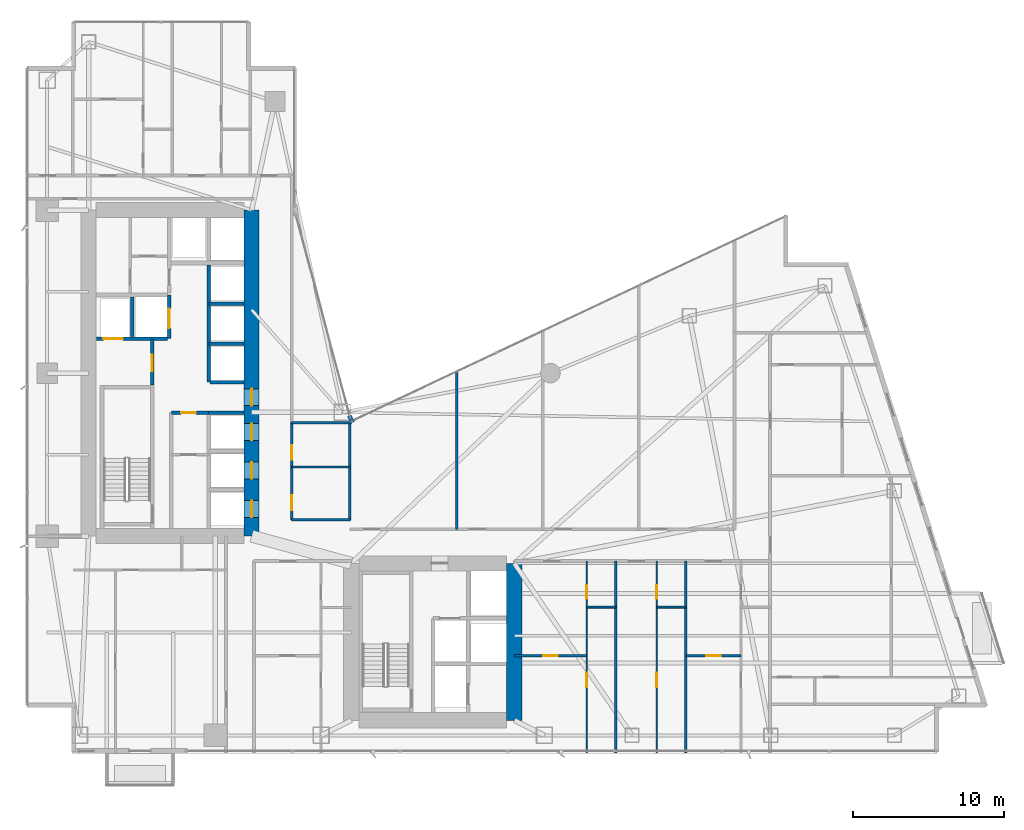
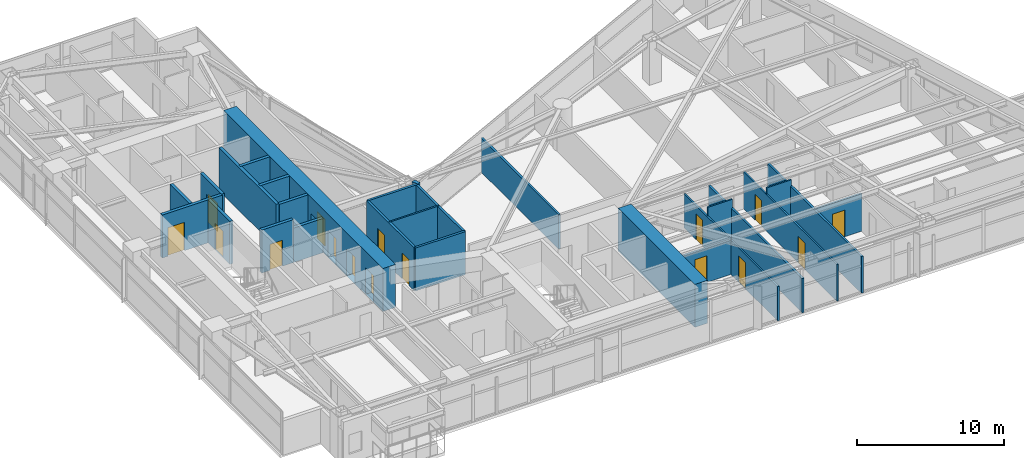
# One storey, part 23 of 30: 27 walls, 16 doors, 16 openings.
"""IFC4 building model written with IfcOpenShell, lengths in metres."""

from ifc_helpers import new_model, si_unit, direction, frame, frame_2d, origin, place, context, subcontext, project, spatial, rectangle, extrude, material, layer, layer_set, type_object, element, fill, save


model = new_model("IFC4")

# Units and contexts
model_context = context("Model", 3, precision=1e-05, world=origin(), true_north=direction((0.0, 1.0)))
body_context = subcontext(model_context, "Body", "Model", "MODEL_VIEW")
ifc_project = project(units=[si_unit("LENGTHUNIT", "METRE"), si_unit("AREAUNIT", "SQUARE_METRE"), si_unit("VOLUMEUNIT", "CUBIC_METRE"), si_unit("PLANEANGLEUNIT", "RADIAN"), si_unit("MASSUNIT", "GRAM", prefix="KILO")], contexts=[model_context])

# Site, building, storey
site_placement = place(None, origin())
site = spatial("IfcSite", under=ifc_project, at=site_placement, CompositionType="ELEMENT")
building_placement = place(site_placement, origin())
building = spatial("IfcBuilding", under=site, at=building_placement, Name="Calvorn Quay Hotel", CompositionType="ELEMENT")
storey_placement = place(building_placement, frame((0.0, 0.0, 50.800048828125)))
storey = spatial("IfcBuildingStorey", under=building, at=storey_placement, Name="L11", CompositionType="ELEMENT", Elevation=50.800048828125)

# Wall, openings, doors
ifc_material_1 = material(Name="Concrete C60", Category="concrete")
ifc_layer_1 = layer(ifc_material_1, 1.0)
ifc_layer_set_1 = layer_set([ifc_layer_1], Name="WL-CORE-1000")
wall_type_1 = type_object("IfcWallType", Name="WL-CORE-1000", PredefinedType="SHEAR", material=ifc_layer_set_1)
wall_1_placement = place(storey_placement, frame((15.0, 16.800048828125, 0.0), z_axis=(0.0, 0.0, 1.0), x_axis=(0.0, 1.0, 0.0)))
wall_1 = element("IfcWall", 1, at=wall_1_placement, inside=storey, type_object=wall_type_1, Name="West Core Shear Wall E (L11)", PredefinedType="SHEAR", context=body_context, shape_type="SweptSolid", body=[
    extrude(rectangle(XDim=21.599853515625, YDim=1.0, at=frame_2d((10.7998046875, 0.0))), origin(), (0.0, 0.0, 1.0), 3.56005859375),
])
opening_1_placement = place(wall_1_placement, frame((8.64990234375, 0.0, 0.0)))
opening_1 = element("IfcOpeningElement", 2, at=opening_1_placement, cuts=wall_1, Name="Opening D-L11-CW1", PredefinedType="OPENING", context=body_context, shape_type="SweptSolid", body=[
    extrude(rectangle(XDim=1.10009765625, YDim=2.199951171875, at=frame_2d((0.550048828125, 1.10009765625))), frame((0.0, 0.510009765625, 0.0), z_axis=(0.0, -1.0, 0.0), x_axis=(1.0, 0.0, 0.0)), (0.0, 0.0, 1.0), 1.02001953125),
])
opening_2_placement = place(wall_1_placement, frame((1.25, 0.0, 0.0)))
opening_2 = element("IfcOpeningElement", 3, at=opening_2_placement, cuts=wall_1, Name="Opening LD-L11-L1", PredefinedType="OPENING", context=body_context, shape_type="SweptSolid", body=[
    extrude(rectangle(XDim=1.10009765625, YDim=2.199951171875, at=frame_2d((0.550048828125, 1.10009765625))), frame((0.0, 0.510009765625, 0.0), z_axis=(0.0, -1.0, 0.0), x_axis=(1.0, 0.0, 0.0)), (0.0, 0.0, 1.0), 1.02001953125),
])
opening_3_placement = place(wall_1_placement, frame((3.800048828125, 0.0, 0.0)))
opening_3 = element("IfcOpeningElement", 4, at=opening_3_placement, cuts=wall_1, Name="Opening LD-L11-L2", PredefinedType="OPENING", context=body_context, shape_type="SweptSolid", body=[
    extrude(rectangle(XDim=1.10009765625, YDim=2.199951171875, at=frame_2d((0.550048828125, 1.10009765625))), frame((0.0, 0.510009765625, 0.0), z_axis=(0.0, -1.0, 0.0), x_axis=(1.0, 0.0, 0.0)), (0.0, 0.0, 1.0), 1.02001953125),
])
opening_4_placement = place(wall_1_placement, frame((6.35009765625, 0.0, 0.0)))
opening_4 = element("IfcOpeningElement", 5, at=opening_4_placement, cuts=wall_1, Name="Opening LD-L11-L3", PredefinedType="OPENING", context=body_context, shape_type="SweptSolid", body=[
    extrude(rectangle(XDim=1.10009765625, YDim=2.199951171875, at=frame_2d((0.550048828125, 1.10009765625))), frame((0.0, 0.510009765625, 0.0), z_axis=(0.0, -1.0, 0.0), x_axis=(1.0, 0.0, 0.0)), (0.0, 0.0, 1.0), 1.02001953125),
])
ifc_material_2 = material(Name="Smoke-Sealed Steel Class A Fire Door", Category="steel")
door_type_1 = type_object("IfcDoorType", Name="DR-FFLOBBY-1100", OperationType="NOTDEFINED", PredefinedType="DOOR", material=ifc_material_2)
door_1_placement = place(opening_1_placement, origin())
door_1 = element("IfcDoor", 6, at=door_1_placement, inside=storey, type_object=door_type_1, Name="West Core Vestibule Fire Door (L11)", OperationType="SINGLE_SWING_RIGHT", OverallHeight=2.199951171875, OverallWidth=1.10009765625, PredefinedType="DOOR", context=body_context, shape_type="SweptSolid", body=[
    extrude(rectangle(XDim=1.10009765625, YDim=2.199951171875, at=frame_2d((0.550048828125, 1.10009765625))), frame((0.0, 0.02490234375, 0.0), z_axis=(0.0, -1.0, 0.0), x_axis=(1.0, 0.0, 0.0)), (0.0, 0.0, 1.0), 0.050048828125),
])
fill(opening_1, door_1)
ifc_material_3 = material(Name="Brushed Stainless Steel Sliding Lift Landing Door", Category="steel")
door_type_2 = type_object("IfcDoorType", Name="DR-LIFT-PASS-1100", OperationType="NOTDEFINED", PredefinedType="DOOR", material=ifc_material_3)
door_2_placement = place(opening_2_placement, origin())
door_2 = element("IfcDoor", 7, at=door_2_placement, inside=storey, type_object=door_type_2, Name="Low-Rise Lift PL-L1 Landing Door (L11)", OperationType="DOUBLE_DOOR_SLIDING", OverallHeight=2.199951171875, OverallWidth=1.10009765625, PredefinedType="DOOR", context=body_context, shape_type="SweptSolid", body=[
    extrude(rectangle(XDim=1.10009765625, YDim=2.199951171875, at=frame_2d((0.550048828125, 1.10009765625))), frame((0.0, 0.02490234375, 0.0), z_axis=(0.0, -1.0, 0.0), x_axis=(1.0, 0.0, 0.0)), (0.0, 0.0, 1.0), 0.050048828125),
])
fill(opening_2, door_2)
door_3_placement = place(opening_3_placement, origin())
door_3 = element("IfcDoor", 8, at=door_3_placement, inside=storey, type_object=door_type_2, Name="Low-Rise Lift PL-L2 Landing Door (L11)", OperationType="DOUBLE_DOOR_SLIDING", OverallHeight=2.199951171875, OverallWidth=1.10009765625, PredefinedType="DOOR", context=body_context, shape_type="SweptSolid", body=[
    extrude(rectangle(XDim=1.10009765625, YDim=2.199951171875, at=frame_2d((0.550048828125, 1.10009765625))), frame((0.0, 0.02490234375, 0.0), z_axis=(0.0, -1.0, 0.0), x_axis=(1.0, 0.0, 0.0)), (0.0, 0.0, 1.0), 0.050048828125),
])
fill(opening_3, door_3)
door_4_placement = place(opening_4_placement, origin())
door_4 = element("IfcDoor", 9, at=door_4_placement, inside=storey, type_object=door_type_2, Name="Low-Rise Lift PL-L3 Landing Door (L11)", OperationType="DOUBLE_DOOR_SLIDING", OverallHeight=2.199951171875, OverallWidth=1.10009765625, PredefinedType="DOOR", context=body_context, shape_type="SweptSolid", body=[
    extrude(rectangle(XDim=1.10009765625, YDim=2.199951171875, at=frame_2d((0.550048828125, 1.10009765625))), frame((0.0, 0.02490234375, 0.0), z_axis=(0.0, -1.0, 0.0), x_axis=(1.0, 0.0, 0.0)), (0.0, 0.0, 1.0), 0.050048828125),
])
fill(opening_4, door_4)

# Walls
wall_2_placement = place(storey_placement, frame((32.39990234375, 4.60009765625, 0.0), z_axis=(0.0, 0.0, 1.0), x_axis=(0.0, 1.0, 0.0)))
element("IfcWall", 10, at=wall_2_placement, inside=storey, type_object=wall_type_1, Name="East Core Shear Wall E (L11)", PredefinedType="SHEAR", context=body_context, shape_type="SweptSolid", body=[
    extrude(rectangle(XDim=10.39990234375, YDim=1.0, at=frame_2d((5.199951171875, 0.0))), origin(), (0.0, 0.0, 1.0), 3.56005859375),
])
ifc_material_4 = material(Name="Acoustic Fireboard Steel-Stud Partition", Category="steel")
ifc_layer_2 = layer(ifc_material_4, 0.179931640625)
ifc_layer_set_2 = layer_set([ifc_layer_2], Name="WL-CORR-FIRE-180")
wall_type_2 = type_object("IfcWallType", Name="WL-CORR-FIRE-180", PredefinedType="PARTITIONING", material=ifc_layer_set_2)
wall_3_placement = place(storey_placement, frame((17.64990234375, 17.8798828125, 0.0), z_axis=(0.0, 0.0, 1.0), x_axis=(1.0, 0.0, 0.0)))
element("IfcWall", 11, at=wall_3_placement, inside=storey, type_object=wall_type_2, Name="Partition Wall L11-WL-HK-S", PredefinedType="PARTITIONING", context=body_context, shape_type="SweptSolid", body=[
    extrude(rectangle(XDim=3.900146484375, YDim=0.179931640625, at=frame_2d((1.9501953125, 0.0))), origin(), (0.0, 0.0, 1.0), 3.56005859375),
])
wall_4_placement = place(storey_placement, frame((17.64990234375, 24.320068359375, 0.0), z_axis=(0.0, 0.0, 1.0), x_axis=(1.0, 0.0, 0.0)))
element("IfcWall", 12, at=wall_4_placement, inside=storey, type_object=wall_type_2, Name="Partition Wall L11-WL-HK-N", PredefinedType="PARTITIONING", context=body_context, shape_type="SweptSolid", body=[
    extrude(rectangle(XDim=3.9501953125, YDim=0.179931640625, at=frame_2d((1.97509765625, 0.0))), origin(), (0.0, 0.0, 1.0), 3.56005859375),
])
wall_5_placement = place(storey_placement, frame((21.5, 17.8798828125, 0.0), z_axis=(0.0, 0.0, 1.0), x_axis=(0.0, 1.0, 0.0)))
element("IfcWall", 13, at=wall_5_placement, inside=storey, type_object=wall_type_2, Name="Partition Wall L11-WL-HK-E", PredefinedType="PARTITIONING", context=body_context, shape_type="SweptSolid", body=[
    extrude(rectangle(XDim=6.440185546875, YDim=0.179931640625, at=frame_2d((3.22021484375, 0.0))), origin(), (0.0, 0.0, 1.0), 3.56005859375),
])

# Wall, openings, doors
wall_6_placement = place(storey_placement, frame((17.64990234375, 17.8798828125, 0.0), z_axis=(0.0, 0.0, 1.0), x_axis=(0.0, 1.0, 0.0)))
wall_6 = element("IfcWall", 14, at=wall_6_placement, inside=storey, type_object=wall_type_2, Name="Partition Wall L11-WL-HK-W", PredefinedType="PARTITIONING", context=body_context, shape_type="SweptSolid", body=[
    extrude(rectangle(XDim=6.440185546875, YDim=0.179931640625, at=frame_2d((3.22021484375, 0.0))), origin(), (0.0, 0.0, 1.0), 3.56005859375),
])
opening_5_placement = place(wall_6_placement, frame((0.64990234375, 0.0, 0.0)))
opening_5 = element("IfcOpeningElement", 15, at=opening_5_placement, cuts=wall_6, Name="Opening D-L11-HK", PredefinedType="OPENING", context=body_context, shape_type="SweptSolid", body=[
    extrude(rectangle(XDim=0.97998046875, YDim=2.14990234375, at=frame_2d((0.489990234375, 1.074951171875))), frame((0.0, 0.099853515625, 0.0), z_axis=(0.0, -1.0, 0.0), x_axis=(1.0, 0.0, 0.0)), (0.0, 0.0, 1.0), 0.199951171875),
])
opening_6_placement = place(wall_6_placement, frame((3.969970703125, 0.0, 0.0)))
opening_6 = element("IfcOpeningElement", 16, at=opening_6_placement, cuts=wall_6, Name="Opening D-L11-NCP", PredefinedType="OPENING", context=body_context, shape_type="SweptSolid", body=[
    extrude(rectangle(XDim=0.9599609375, YDim=2.199951171875, at=frame_2d((0.47998046875, 1.10009765625))), frame((0.0, 0.099853515625, 0.0), z_axis=(0.0, -1.0, 0.0), x_axis=(1.0, 0.0, 0.0)), (0.0, 0.0, 1.0), 0.199951171875),
])
ifc_material_5 = material(Name="Painted Steel Housekeeping/Riser Fire Door", Category="steel")
door_type_3 = type_object("IfcDoorType", Name="DR-SERVICE-980", OperationType="NOTDEFINED", PredefinedType="DOOR", material=ifc_material_5)
door_5_placement = place(opening_5_placement, origin())
door_5 = element("IfcDoor", 17, at=door_5_placement, inside=storey, type_object=door_type_3, Name="Floor Housekeeping Door (L11)", OperationType="SINGLE_SWING_LEFT", OverallHeight=2.14990234375, OverallWidth=0.97998046875, PredefinedType="DOOR", context=body_context, shape_type="SweptSolid", body=[
    extrude(rectangle(XDim=0.97998046875, YDim=2.14990234375, at=frame_2d((0.489990234375, 1.074951171875))), frame((0.0, 0.02490234375, 0.0), z_axis=(0.0, -1.0, 0.0), x_axis=(1.0, 0.0, 0.0)), (0.0, 0.0, 1.0), 0.050048828125),
])
fill(opening_5, door_5)
ifc_material_6 = material(Name="Solid Timber Internal Suite Door", Category="wood")
door_type_4 = type_object("IfcDoorType", Name="DR-SUITE-INT-960", OperationType="NOTDEFINED", PredefinedType="DOOR", material=ifc_material_6)
door_6_placement = place(opening_6_placement, origin())
door_6 = element("IfcDoor", 18, at=door_6_placement, inside=storey, type_object=door_type_4, Name="Reading Alcove Door (L11)", OperationType="SINGLE_SWING_RIGHT", OverallHeight=2.199951171875, OverallWidth=0.9599609375, PredefinedType="DOOR", context=body_context, shape_type="SweptSolid", body=[
    extrude(rectangle(XDim=0.9599609375, YDim=2.199951171875, at=frame_2d((0.47998046875, 1.10009765625))), frame((0.0, 0.02490234375, 0.0), z_axis=(0.0, -1.0, 0.0), x_axis=(1.0, 0.0, 0.0)), (0.0, 0.0, 1.0), 0.050048828125),
])
fill(opening_6, door_6)

# Walls
ifc_material_7 = material(Name="Moisture-Resistant Tile-Backed Partition")
ifc_layer_3 = layer(ifc_material_7, 0.125)
ifc_layer_set_3 = layer_set([ifc_layer_3], Name="WL-ENSUITE-125")
wall_type_3 = type_object("IfcWallType", Name="WL-ENSUITE-125", PredefinedType="PARTITIONING", material=ifc_layer_set_3)
wall_7_placement = place(storey_placement, frame((17.64990234375, 21.3798828125, 0.0), z_axis=(0.0, 0.0, 1.0), x_axis=(1.0, 0.0, 0.0)))
element("IfcWall", 19, at=wall_7_placement, inside=storey, type_object=wall_type_3, Name="Partition Wall L11-WL-HK-M", PredefinedType="PARTITIONING", context=body_context, shape_type="SweptSolid", body=[
    extrude(rectangle(XDim=3.900146484375, YDim=0.125, at=frame_2d((1.9501953125, 0.0))), origin(), (0.0, 0.0, 1.0), 3.56005859375),
])
wall_8_placement = place(storey_placement, frame((37.199951171875, 12.10009765625, 0.0), z_axis=(0.0, 0.0, 1.0), x_axis=(1.0, 0.0, 0.0)))
element("IfcWall", 20, at=wall_8_placement, inside=storey, type_object=wall_type_3, Name="Partition Wall L11-WL-U05-BDV", PredefinedType="PARTITIONING", context=body_context, shape_type="SweptSolid", body=[
    extrude(rectangle(XDim=1.929931640625, YDim=0.125, at=frame_2d((0.96484375, 0.0))), origin(), (0.0, 0.0, 1.0), 3.56005859375),
])

# Wall, openings, doors
wall_9_placement = place(storey_placement, frame((37.199951171875, 2.43994140625, 0.0), z_axis=(0.0, 0.0, 1.0), x_axis=(0.0, 1.0, 0.0)))
wall_9 = element("IfcWall", 21, at=wall_9_placement, inside=storey, type_object=wall_type_3, Name="Partition Wall L11-WL-U05-BV", PredefinedType="PARTITIONING", context=body_context, shape_type="SweptSolid", body=[
    extrude(rectangle(XDim=12.7099609375, YDim=0.125, at=frame_2d((6.35498046875, 0.0))), origin(), (0.0, 0.0, 1.0), 2.83984375),
])
opening_7_placement = place(wall_9_placement, frame((4.35009765625, 0.0, 0.0)))
opening_7 = element("IfcOpeningElement", 22, at=opening_7_placement, cuts=wall_9, Name="Opening D-L11-S05", PredefinedType="OPENING", context=body_context, shape_type="SweptSolid", body=[
    extrude(rectangle(XDim=0.9599609375, YDim=2.199951171875, at=frame_2d((0.47998046875, 1.10009765625))), frame((0.0, 0.072509765625, 0.0), z_axis=(0.0, -1.0, 0.0), x_axis=(1.0, 0.0, 0.0)), (0.0, 0.0, 1.0), 0.14501953125),
])
opening_8_placement = place(wall_9_placement, frame((10.2099609375, 0.0, 0.0)))
opening_8 = element("IfcOpeningElement", 23, at=opening_8_placement, cuts=wall_9, Name="Opening D-L11-E05", PredefinedType="OPENING", context=body_context, shape_type="SweptSolid", body=[
    extrude(rectangle(XDim=0.89990234375, YDim=2.14990234375, at=frame_2d((0.449951171875, 1.074951171875))), frame((0.0, 0.072509765625, 0.0), z_axis=(0.0, -1.0, 0.0), x_axis=(1.0, 0.0, 0.0)), (0.0, 0.0, 1.0), 0.14501953125),
])
ifc_material_8 = material(Name="Moisture-Sealed Timber En-Suite Door", Category="wood")
door_type_5 = type_object("IfcDoorType", Name="DR-ENSUITE-900", OperationType="NOTDEFINED", PredefinedType="DOOR", material=ifc_material_8)
door_7_placement = place(opening_8_placement, origin())
door_7 = element("IfcDoor", 24, at=door_7_placement, inside=storey, type_object=door_type_5, Name="En-Suite Door 05", OperationType="SINGLE_SWING_RIGHT", OverallHeight=2.14990234375, OverallWidth=0.89990234375, PredefinedType="DOOR", context=body_context, shape_type="SweptSolid", body=[
    extrude(rectangle(XDim=0.89990234375, YDim=2.14990234375, at=frame_2d((0.449951171875, 1.074951171875))), frame((0.0, 0.02490234375, 0.0), z_axis=(0.0, -1.0, 0.0), x_axis=(1.0, 0.0, 0.0)), (0.0, 0.0, 1.0), 0.050048828125),
])
fill(opening_8, door_7)
door_8_placement = place(opening_7_placement, origin())
door_8 = element("IfcDoor", 25, at=door_8_placement, inside=storey, type_object=door_type_4, Name="Executive Work Office Door 05", OperationType="SINGLE_SWING_LEFT", OverallHeight=2.199951171875, OverallWidth=0.9599609375, PredefinedType="DOOR", context=body_context, shape_type="SweptSolid", body=[
    extrude(rectangle(XDim=0.9599609375, YDim=2.199951171875, at=frame_2d((0.47998046875, 1.10009765625))), frame((0.0, 0.02490234375, 0.0), z_axis=(0.0, -1.0, 0.0), x_axis=(1.0, 0.0, 0.0)), (0.0, 0.0, 1.0), 0.050048828125),
])
fill(opening_7, door_8)

# Wall
wall_10_placement = place(storey_placement, frame((41.840087890625, 12.10009765625, 0.0), z_axis=(0.0, 0.0, 1.0), x_axis=(1.0, 0.0, 0.0)))
element("IfcWall", 26, at=wall_10_placement, inside=storey, type_object=wall_type_3, Name="Partition Wall L11-WL-U06-BDV", PredefinedType="PARTITIONING", context=body_context, shape_type="SweptSolid", body=[
    extrude(rectangle(XDim=1.929931640625, YDim=0.125, at=frame_2d((0.96484375, 0.0))), origin(), (0.0, 0.0, 1.0), 3.56005859375),
])

# Wall, openings, doors
wall_11_placement = place(storey_placement, frame((41.840087890625, 2.43994140625, 0.0), z_axis=(0.0, 0.0, 1.0), x_axis=(0.0, 1.0, 0.0)))
wall_11 = element("IfcWall", 27, at=wall_11_placement, inside=storey, type_object=wall_type_3, Name="Partition Wall L11-WL-U06-BV", PredefinedType="PARTITIONING", context=body_context, shape_type="SweptSolid", body=[
    extrude(rectangle(XDim=12.7099609375, YDim=0.125, at=frame_2d((6.35498046875, 0.0))), origin(), (0.0, 0.0, 1.0), 3.0400390625),
])
opening_9_placement = place(wall_11_placement, frame((4.35009765625, 0.0, 0.0)))
opening_9 = element("IfcOpeningElement", 28, at=opening_9_placement, cuts=wall_11, Name="Opening D-L11-S06", PredefinedType="OPENING", context=body_context, shape_type="SweptSolid", body=[
    extrude(rectangle(XDim=0.9599609375, YDim=2.199951171875, at=frame_2d((0.47998046875, 1.10009765625))), frame((0.0, 0.072509765625, 0.0), z_axis=(0.0, -1.0, 0.0), x_axis=(1.0, 0.0, 0.0)), (0.0, 0.0, 1.0), 0.14501953125),
])
opening_10_placement = place(wall_11_placement, frame((10.2099609375, 0.0, 0.0)))
opening_10 = element("IfcOpeningElement", 29, at=opening_10_placement, cuts=wall_11, Name="Opening D-L11-E06", PredefinedType="OPENING", context=body_context, shape_type="SweptSolid", body=[
    extrude(rectangle(XDim=0.89990234375, YDim=2.14990234375, at=frame_2d((0.449951171875, 1.074951171875))), frame((0.0, 0.072509765625, 0.0), z_axis=(0.0, -1.0, 0.0), x_axis=(1.0, 0.0, 0.0)), (0.0, 0.0, 1.0), 0.14501953125),
])
door_9_placement = place(opening_10_placement, origin())
door_9 = element("IfcDoor", 30, at=door_9_placement, inside=storey, type_object=door_type_5, Name="En-Suite Door 06", OperationType="SINGLE_SWING_RIGHT", OverallHeight=2.14990234375, OverallWidth=0.89990234375, PredefinedType="DOOR", context=body_context, shape_type="SweptSolid", body=[
    extrude(rectangle(XDim=0.89990234375, YDim=2.14990234375, at=frame_2d((0.449951171875, 1.074951171875))), frame((0.0, 0.02490234375, 0.0), z_axis=(0.0, -1.0, 0.0), x_axis=(1.0, 0.0, 0.0)), (0.0, 0.0, 1.0), 0.050048828125),
])
fill(opening_10, door_9)
door_10_placement = place(opening_9_placement, origin())
door_10 = element("IfcDoor", 31, at=door_10_placement, inside=storey, type_object=door_type_4, Name="Executive Work Office Door 06", OperationType="SINGLE_SWING_LEFT", OverallHeight=2.199951171875, OverallWidth=0.9599609375, PredefinedType="DOOR", context=body_context, shape_type="SweptSolid", body=[
    extrude(rectangle(XDim=0.9599609375, YDim=2.199951171875, at=frame_2d((0.47998046875, 1.10009765625))), frame((0.0, 0.02490234375, 0.0), z_axis=(0.0, -1.0, 0.0), x_axis=(1.0, 0.0, 0.0)), (0.0, 0.0, 1.0), 0.050048828125),
])
fill(opening_9, door_10)

# Wall
ifc_material_9 = material(Name="Concrete C40", Category="concrete")
ifc_layer_4 = layer(ifc_material_9, 0.320068359375)
ifc_layer_set_4 = layer_set([ifc_layer_4], Name="WL-EXT-SPANDREL-320")
wall_type_4 = type_object("IfcWallType", Name="WL-EXT-SPANDREL-320", PredefinedType="SOLIDWALL", material=ifc_layer_set_4)
wall_12_placement = place(storey_placement, frame((21.679931640625, 24.340087890625, 0.0), z_axis=(0.0, 0.0, 1.0), x_axis=(-0.40758134973, 0.913168901875, 0.0)))
element("IfcWall", 32, at=wall_12_placement, inside=storey, type_object=wall_type_4, Name="Inner Court Corner Pier L11-ICJ1", PredefinedType="SOLIDWALL", context=body_context, shape_type="SweptSolid", body=[
    extrude(rectangle(XDim=0.470703125, YDim=0.280029296875, at=frame_2d((0.2353515625, 0.0))), origin(), (0.0, 0.0, 1.0), 3.56005859375),
])

# Wall, opening, door
ifc_material_10 = material(Name="Double-Stud Acoustic Gypsum Partition")
ifc_layer_5 = layer(ifc_material_10, 0.159912109375)
ifc_layer_set_5 = layer_set([ifc_layer_5], Name="WL-INTERSUITE-160")
wall_type_5 = type_object("IfcWallType", Name="WL-INTERSUITE-160", PredefinedType="PARTITIONING", material=ifc_layer_set_5)
wall_13_placement = place(storey_placement, frame((32.39990234375, 8.8798828125, 0.0), z_axis=(0.0, 0.0, 1.0), x_axis=(1.0, 0.0, 0.0)))
wall_13 = element("IfcWall", 33, at=wall_13_placement, inside=storey, type_object=wall_type_5, Name="Partition Wall L11-WL-U05-MSP", PredefinedType="PARTITIONING", context=body_context, shape_type="SweptSolid", body=[
    extrude(rectangle(XDim=4.800048828125, YDim=0.159912109375, at=frame_2d((2.39990234375, 0.0))), origin(), (0.0, 0.0, 1.0), 2.83984375),
])
opening_11_placement = place(wall_13_placement, frame((1.919921875, 0.0, 0.0)))
opening_11 = element("IfcOpeningElement", 34, at=opening_11_placement, cuts=wall_13, Name="Opening D-L11-M05", PredefinedType="OPENING", context=body_context, shape_type="SweptSolid", body=[
    extrude(rectangle(XDim=0.9599609375, YDim=2.199951171875, at=frame_2d((0.47998046875, 1.10009765625))), frame((0.0, 0.08984375, 0.0), z_axis=(0.0, -1.0, 0.0), x_axis=(1.0, 0.0, 0.0)), (0.0, 0.0, 1.0), 0.179931640625),
])
door_11_placement = place(opening_11_placement, origin())
door_11 = element("IfcDoor", 35, at=door_11_placement, inside=storey, type_object=door_type_4, Name="Suite Bedroom Door 05", OperationType="SINGLE_SWING_LEFT", OverallHeight=2.199951171875, OverallWidth=0.9599609375, PredefinedType="DOOR", context=body_context, shape_type="SweptSolid", body=[
    extrude(rectangle(XDim=0.9599609375, YDim=2.199951171875, at=frame_2d((0.47998046875, 1.10009765625))), frame((0.0, 0.02490234375, 0.0), z_axis=(0.0, -1.0, 0.0), x_axis=(1.0, 0.0, 0.0)), (0.0, 0.0, 1.0), 0.050048828125),
])
fill(opening_11, door_11)

# Wall
wall_14_placement = place(storey_placement, frame((39.1298828125, 2.43994140625, 0.0), z_axis=(0.0, 0.0, 1.0), x_axis=(0.0, 1.0, 0.0)))
element("IfcWall", 36, at=wall_14_placement, inside=storey, type_object=wall_type_5, Name="Partition Wall L11-WL-SE-DIV-1", PredefinedType="PARTITIONING", context=body_context, shape_type="SweptSolid", body=[
    extrude(rectangle(XDim=12.7099609375, YDim=0.159912109375, at=frame_2d((6.35498046875, 0.0))), origin(), (0.0, 0.0, 1.0), 2.83984375),
])

# Wall, opening, door
wall_15_placement = place(storey_placement, frame((43.77001953125, 8.8798828125, 0.0), z_axis=(0.0, 0.0, 1.0), x_axis=(1.0, 0.0, 0.0)))
wall_15 = element("IfcWall", 37, at=wall_15_placement, inside=storey, type_object=wall_type_5, Name="Partition Wall L11-WL-U07-MSP", PredefinedType="PARTITIONING", context=body_context, shape_type="SweptSolid", body=[
    extrude(rectangle(XDim=3.64990234375, YDim=0.159912109375, at=frame_2d((1.824951171875, 0.0))), origin(), (0.0, 0.0, 1.0), 3.08984375),
])
opening_12_placement = place(wall_15_placement, frame((1.340087890625, 0.0, 0.0)))
opening_12 = element("IfcOpeningElement", 38, at=opening_12_placement, cuts=wall_15, Name="Opening D-L11-M07", PredefinedType="OPENING", context=body_context, shape_type="SweptSolid", body=[
    extrude(rectangle(XDim=0.9599609375, YDim=2.199951171875, at=frame_2d((0.47998046875, 1.10009765625))), frame((0.0, 0.08984375, 0.0), z_axis=(0.0, -1.0, 0.0), x_axis=(1.0, 0.0, 0.0)), (0.0, 0.0, 1.0), 0.179931640625),
])
door_12_placement = place(opening_12_placement, origin())
door_12 = element("IfcDoor", 39, at=door_12_placement, inside=storey, type_object=door_type_4, Name="Suite Bedroom Door 07", OperationType="SINGLE_SWING_LEFT", OverallHeight=2.199951171875, OverallWidth=0.9599609375, PredefinedType="DOOR", context=body_context, shape_type="SweptSolid", body=[
    extrude(rectangle(XDim=0.9599609375, YDim=2.199951171875, at=frame_2d((0.47998046875, 1.10009765625))), frame((0.0, 0.02490234375, 0.0), z_axis=(0.0, -1.0, 0.0), x_axis=(1.0, 0.0, 0.0)), (0.0, 0.0, 1.0), 0.050048828125),
])
fill(opening_12, door_12)

# Walls
wall_16_placement = place(storey_placement, frame((43.77001953125, 2.43994140625, 0.0), z_axis=(0.0, 0.0, 1.0), x_axis=(0.0, 1.0, 0.0)))
element("IfcWall", 40, at=wall_16_placement, inside=storey, type_object=wall_type_5, Name="Partition Wall L11-WL-SE-DIV-2", PredefinedType="PARTITIONING", context=body_context, shape_type="SweptSolid", body=[
    extrude(rectangle(XDim=12.7099609375, YDim=0.159912109375, at=frame_2d((6.35498046875, 0.0))), origin(), (0.0, 0.0, 1.0), 3.0400390625),
])
wall_17_placement = place(storey_placement, frame((28.60009765625, 17.25, 0.0), z_axis=(0.0, 0.0, 1.0), x_axis=(0.0, 1.0, 0.0)))
element("IfcWall", 41, at=wall_17_placement, inside=storey, type_object=wall_type_5, Name="Partition Wall L11-WL-NE-DIV-1", PredefinedType="PARTITIONING", context=body_context, shape_type="SweptSolid", body=[
    extrude(rectangle(XDim=10.5400390625, YDim=0.159912109375, at=frame_2d((5.27001953125, 0.0))), origin(), (0.0, 0.0, 1.0), 2.83984375),
])
ifc_material_11 = material(Name="Concrete C40", Category="concrete")
ifc_layer_6 = layer(ifc_material_11, 0.239990234375)
ifc_layer_set_6 = layer_set([ifc_layer_6], Name="WL-SHAFT-240")
wall_type_6 = type_object("IfcWallType", Name="WL-SHAFT-240", PredefinedType="SOLIDWALL", material=ifc_layer_set_6)
for number, where, z_axis, x_axis, name in (
    (42, (12.179931640625, 29.550048828125, 0.0), (0.0, 0.0, 1.0), (1.0, 0.0, 0.0), "Lift Hoistway Divider Wall PLM12 (L11)"),
    (43, (12.179931640625, 32.199951171875, 0.0), (0.0, 0.0, 1.0), (1.0, 0.0, 0.0), "Lift Hoistway Divider Wall PLM23 (L11)"),
):
    element("IfcWall", number, at=place(storey_placement, frame(where, z_axis=z_axis, x_axis=x_axis)), inside=storey, type_object=wall_type_6, Name=name, PredefinedType="SOLIDWALL", context=body_context, shape_type="SweptSolid", body=[
        extrude(rectangle(XDim=2.320068359375, YDim=0.239990234375, at=frame_2d((1.16015625, 0.0))), origin(), (0.0, 0.0, 1.0), 3.56005859375),
    ])

# Wall, opening, door
wall_18_placement = place(storey_placement, frame((8.419921875, 26.820068359375, 0.0), z_axis=(0.0, 0.0, 1.0), x_axis=(0.0, 1.0, 0.0)))
wall_18 = element("IfcWall", 44, at=wall_18_placement, inside=storey, type_object=wall_type_6, Name="Partition Wall L11-WL-CWW-FFL-E", PredefinedType="SOLIDWALL", context=body_context, shape_type="SweptSolid", body=[
    extrude(rectangle(XDim=3.0, YDim=0.239990234375, at=frame_2d((1.5, 0.0))), origin(), (0.0, 0.0, 1.0), 3.56005859375),
])
opening_13_placement = place(wall_18_placement, frame((0.89990234375, 0.0, 0.0)))
opening_13 = element("IfcOpeningElement", 45, at=opening_13_placement, cuts=wall_18, Name="Opening D-L11-FLW", PredefinedType="OPENING", context=body_context, shape_type="SweptSolid", body=[
    extrude(rectangle(XDim=1.10009765625, YDim=2.199951171875, at=frame_2d((0.550048828125, 1.10009765625))), frame((0.0, 0.1298828125, 0.0), z_axis=(0.0, -1.0, 0.0), x_axis=(1.0, 0.0, 0.0)), (0.0, 0.0, 1.0), 0.260009765625),
])
door_13_placement = place(opening_13_placement, origin())
door_13 = element("IfcDoor", 46, at=door_13_placement, inside=storey, type_object=door_type_1, Name="West Firefighting Lobby Fire Door (L11)", OperationType="SINGLE_SWING_RIGHT", OverallHeight=2.199951171875, OverallWidth=1.10009765625, PredefinedType="DOOR", context=body_context, shape_type="SweptSolid", body=[
    extrude(rectangle(XDim=1.10009765625, YDim=2.199951171875, at=frame_2d((0.550048828125, 1.10009765625))), frame((0.0, 0.02490234375, 0.0), z_axis=(0.0, -1.0, 0.0), x_axis=(1.0, 0.0, 0.0)), (0.0, 0.0, 1.0), 0.050048828125),
])
fill(opening_13, door_13)

wall_19_placement = place(storey_placement, frame((4.719970703125, 29.8798828125, 0.0), z_axis=(0.0, 0.0, 1.0), x_axis=(1.0, 0.0, 0.0)))
wall_19 = element("IfcWall", 47, at=wall_19_placement, inside=storey, type_object=wall_type_6, Name="Partition Wall L11-WL-CWW-FLW-S", PredefinedType="SOLIDWALL", context=body_context, shape_type="SweptSolid", body=[
    extrude(rectangle(XDim=4.699951171875, YDim=0.239990234375, at=frame_2d((2.35009765625, 0.0))), origin(), (0.0, 0.0, 1.0), 3.56005859375),
])
opening_14_placement = place(wall_19_placement, frame((0.449951171875, 0.0, 0.0)))
opening_14 = element("IfcOpeningElement", 48, at=opening_14_placement, cuts=wall_19, Name="Opening LD-L11-FLW1", PredefinedType="OPENING", context=body_context, shape_type="SweptSolid", body=[
    extrude(rectangle(XDim=1.300048828125, YDim=2.35009765625, at=frame_2d((0.64990234375, 1.175048828125))), frame((0.0, 0.1298828125, 0.0), z_axis=(0.0, -1.0, 0.0), x_axis=(1.0, 0.0, 0.0)), (0.0, 0.0, 1.0), 0.260009765625),
])
ifc_material_12 = material(Name="Champagne-Bronze Sliding Express Lift Landing Door")
door_type_6 = type_object("IfcDoorType", Name="DR-LIFT-SHUTTLE-1300", OperationType="NOTDEFINED", PredefinedType="DOOR", material=ifc_material_12)
door_14_placement = place(opening_14_placement, origin())
door_14 = element("IfcDoor", 49, at=door_14_placement, inside=storey, type_object=door_type_6, Name="Firefighting Lift FL-W1 Landing Door (L11)", OperationType="DOUBLE_DOOR_SLIDING", OverallHeight=2.35009765625, OverallWidth=1.300048828125, PredefinedType="DOOR", context=body_context, shape_type="SweptSolid", body=[
    extrude(rectangle(XDim=1.300048828125, YDim=2.35009765625, at=frame_2d((0.64990234375, 1.175048828125))), frame((0.0, 0.02490234375, 0.0), z_axis=(0.0, -1.0, 0.0), x_axis=(1.0, 0.0, 0.0)), (0.0, 0.0, 1.0), 0.050048828125),
])
fill(opening_14, door_14)

# Wall
wall_20_placement = place(storey_placement, frame((7.10009765625, 30.02001953125, 0.0), z_axis=(0.0, 0.0, 1.0), x_axis=(0.0, 1.0, 0.0)))
element("IfcWall", 50, at=wall_20_placement, inside=storey, type_object=wall_type_6, Name="Partition Wall L11-WL-CWW-FLW-DIV", PredefinedType="SOLIDWALL", context=body_context, shape_type="SweptSolid", body=[
    extrude(rectangle(XDim=2.6298828125, YDim=0.239990234375, at=frame_2d((1.31494140625, 0.0))), origin(), (0.0, 0.0, 1.0), 3.56005859375),
])

# Wall, opening, door
wall_21_placement = place(storey_placement, frame((9.5400390625, 29.8798828125, 0.0), z_axis=(0.0, 0.0, 1.0), x_axis=(0.0, 1.0, 0.0)))
wall_21 = element("IfcWall", 51, at=wall_21_placement, inside=storey, type_object=wall_type_6, Name="Partition Wall L11-WL-CWW-SLW-E", PredefinedType="SOLIDWALL", context=body_context, shape_type="SweptSolid", body=[
    extrude(rectangle(XDim=2.900146484375, YDim=0.239990234375, at=frame_2d((1.4501953125, 0.0))), origin(), (0.0, 0.0, 1.0), 3.56005859375),
])
opening_15_placement = place(wall_21_placement, frame((0.699951171875, 0.0, 0.0)))
opening_15 = element("IfcOpeningElement", 52, at=opening_15_placement, cuts=wall_21, Name="Opening LD-L11-SLW1", PredefinedType="OPENING", context=body_context, shape_type="SweptSolid", body=[
    extrude(rectangle(XDim=1.300048828125, YDim=2.35009765625, at=frame_2d((0.64990234375, 1.175048828125))), frame((0.0, 0.1298828125, 0.0), z_axis=(0.0, -1.0, 0.0), x_axis=(1.0, 0.0, 0.0)), (0.0, 0.0, 1.0), 0.260009765625),
])
door_15_placement = place(opening_15_placement, origin())
door_15 = element("IfcDoor", 53, at=door_15_placement, inside=storey, type_object=door_type_6, Name="Service Lift SL-W1 Landing Door (L11)", OperationType="DOUBLE_DOOR_SLIDING", OverallHeight=2.35009765625, OverallWidth=1.300048828125, PredefinedType="DOOR", context=body_context, shape_type="SweptSolid", body=[
    extrude(rectangle(XDim=1.300048828125, YDim=2.35009765625, at=frame_2d((0.64990234375, 1.175048828125))), frame((0.0, 0.02490234375, 0.0), z_axis=(0.0, -1.0, 0.0), x_axis=(1.0, 0.0, 0.0)), (0.0, 0.0, 1.0), 0.050048828125),
])
fill(opening_15, door_15)

wall_22_placement = place(storey_placement, frame((9.679931640625, 24.969970703125, 0.0), z_axis=(0.0, 0.0, 1.0), x_axis=(1.0, 0.0, 0.0)))
wall_22 = element("IfcWall", 54, at=wall_22_placement, inside=storey, type_object=wall_type_6, Name="Partition Wall L11-WL-CWW-SER-N", PredefinedType="SOLIDWALL", context=body_context, shape_type="SweptSolid", body=[
    extrude(rectangle(XDim=2.469970703125, YDim=0.239990234375, at=frame_2d((1.23486328125, 0.0))), origin(), (0.0, 0.0, 1.0), 3.56005859375),
])
opening_16_placement = place(wall_22_placement, frame((0.64990234375, 0.0, 0.0)))
opening_16 = element("IfcOpeningElement", 55, at=opening_16_placement, cuts=wall_22, Name="Opening D-L11-CSR", PredefinedType="OPENING", context=body_context, shape_type="SweptSolid", body=[
    extrude(rectangle(XDim=0.97998046875, YDim=2.14990234375, at=frame_2d((0.489990234375, 1.074951171875))), frame((0.0, 0.1298828125, 0.0), z_axis=(0.0, -1.0, 0.0), x_axis=(1.0, 0.0, 0.0)), (0.0, 0.0, 1.0), 0.260009765625),
])
door_16_placement = place(opening_16_placement, origin())
door_16 = element("IfcDoor", 56, at=door_16_placement, inside=storey, type_object=door_type_3, Name="Core Service Closet Door (L11)", OperationType="SINGLE_SWING_LEFT", OverallHeight=2.14990234375, OverallWidth=0.97998046875, PredefinedType="DOOR", context=body_context, shape_type="SweptSolid", body=[
    extrude(rectangle(XDim=0.97998046875, YDim=2.14990234375, at=frame_2d((0.489990234375, 1.074951171875))), frame((0.0, 0.02490234375, 0.0), z_axis=(0.0, -1.0, 0.0), x_axis=(1.0, 0.0, 0.0)), (0.0, 0.0, 1.0), 0.050048828125),
])
fill(opening_16, door_16)

# Walls
wall_23_placement = place(storey_placement, frame((12.14990234375, 24.969970703125, 0.0), z_axis=(0.0, 0.0, 1.0), x_axis=(1.0, 0.0, 0.0)))
element("IfcWall", 57, at=wall_23_placement, inside=storey, type_object=wall_type_6, Name="Partition Wall L11-WL-CWW-PLL-SHN", PredefinedType="SOLIDWALL", context=body_context, shape_type="SweptSolid", body=[
    extrude(rectangle(XDim=2.330078125, YDim=0.239990234375, at=frame_2d((1.1650390625, 0.0))), origin(), (0.0, 0.0, 1.0), 2.83984375),
])
wall_24_placement = place(storey_placement, frame((12.25, 27.0, 0.0), z_axis=(0.0, 0.0, 1.0), x_axis=(1.0, 0.0, 0.0)))
element("IfcWall", 58, at=wall_24_placement, inside=storey, type_object=wall_type_6, Name="Partition Wall L11-WL-CWW-PLM-S", PredefinedType="SOLIDWALL", context=body_context, shape_type="SweptSolid", body=[
    extrude(rectangle(XDim=2.22998046875, YDim=0.239990234375, at=frame_2d((1.114990234375, 0.0))), origin(), (0.0, 0.0, 1.0), 3.56005859375),
])
wall_25_placement = place(storey_placement, frame((12.14990234375, 27.0, 0.0), z_axis=(0.0, 0.0, 1.0), x_axis=(0.0, 1.0, 0.0)))
element("IfcWall", 59, at=wall_25_placement, inside=storey, type_object=wall_type_6, Name="Partition Wall L11-WL-CWW-PLM-W", PredefinedType="SOLIDWALL", context=body_context, shape_type="SweptSolid", body=[
    extrude(rectangle(XDim=7.75, YDim=0.239990234375, at=frame_2d((3.875, 0.0))), origin(), (0.0, 0.0, 1.0), 3.56005859375),
])

save(model, "model.ifc")
